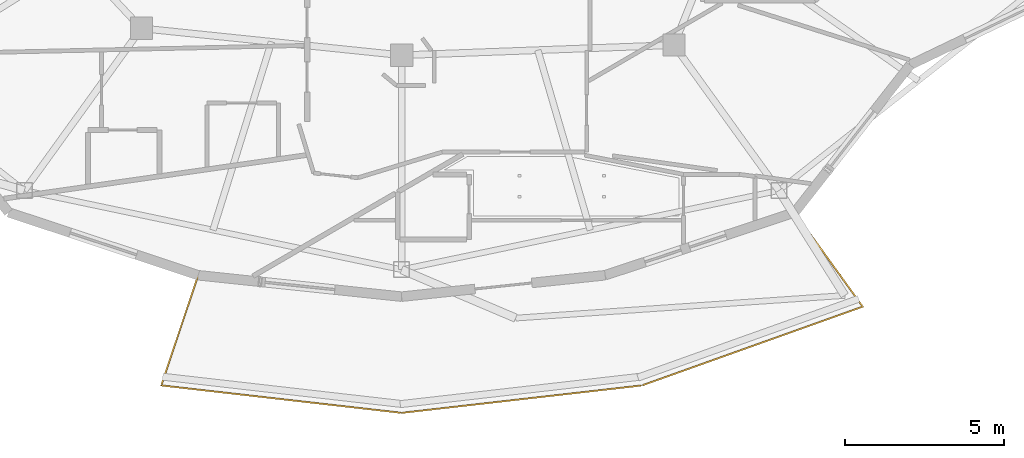
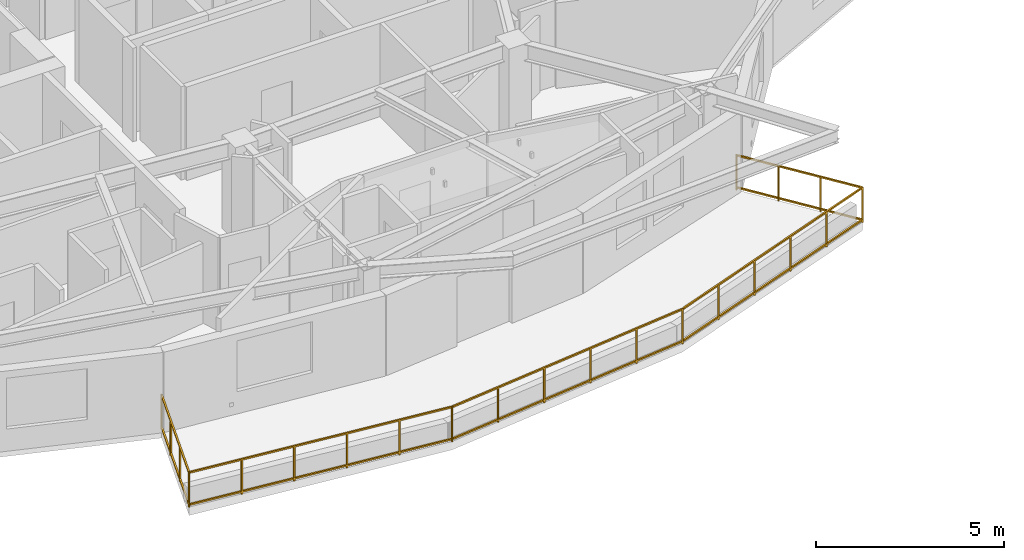
# One storey, part 14 of 18: 1 railing.
"""IFC4 building model written with IfcOpenShell, lengths in metres."""

from ifc_helpers import new_model, si_unit, direction, frame, origin, origin_2d, place, context, subcontext, project, spatial, rectangle, extrude, material, type_object, element, save


model = new_model("IFC4")

# Units and contexts
model_context = context("Model", 3, precision=1e-05, world=origin(), true_north=direction((0.0, 1.0)))
body_context = subcontext(model_context, "Body", "Model", "MODEL_VIEW")
ifc_project = project(units=[si_unit("LENGTHUNIT", "METRE"), si_unit("AREAUNIT", "SQUARE_METRE"), si_unit("VOLUMEUNIT", "CUBIC_METRE"), si_unit("PLANEANGLEUNIT", "RADIAN"), si_unit("MASSUNIT", "GRAM", prefix="KILO")], contexts=[model_context])

# Site, building, storey
site_placement = place(None, origin())
site = spatial("IfcSite", under=ifc_project, at=site_placement, CompositionType="ELEMENT")
building_placement = place(site_placement, origin())
building = spatial("IfcBuilding", under=site, at=building_placement, Name="Kolvaren Gate Tower and Convention Centre", CompositionType="ELEMENT")
storey_placement = place(building_placement, frame((0.0, 0.0, 229.39990234375)))
storey = spatial("IfcBuildingStorey", under=building, at=storey_placement, Name="L61", CompositionType="ELEMENT", Elevation=229.39990234375)

# Railing
ifc_material = material(Name="Brushed Stainless Steel Grade 316L", Category="steel")
railing_type = type_object("IfcRailingType", Name="ARCH-RL-GUARD-1150", PredefinedType="GUARDRAIL", material=ifc_material)
railing_placement = place(storey_placement, frame((23.71923828125, 7.874755859375, 0.0)))
element("IfcRailing", 1, at=railing_placement, inside=storey, type_object=railing_type, Name="Tower L61 Terrace Perimeter Guardrail GR-3", PredefinedType="GUARDRAIL", context=body_context, shape_type="SweptSolid", body=[
    extrude(rectangle(XDim=0.048095703125, YDim=0.048095703125, at=origin_2d()), frame((-0.0087890625, -0.026611328125, 1.1259765625), z_axis=(-0.317588247294, -0.948228719867, 0.0), x_axis=(0.948228719867, -0.317588247294, 0.0)), (0.0, 0.0, 1.0), 3.603759765625),
    extrude(rectangle(XDim=0.048095703125, YDim=0.048095703125, at=origin_2d()), frame((-0.0087890625, -0.026611328125, 0.083984375), z_axis=(-0.317588247294, -0.948228719867, 0.0), x_axis=(0.948228719867, -0.317588247294, 0.0)), (0.0, 0.0, 1.0), 3.603759765625),
    extrude(rectangle(XDim=0.048095703125, YDim=0.048095703125, at=origin_2d()), frame((-1.134521484375, -3.4736328125, 1.1259765625), z_axis=(0.993542586276, -0.113459813395, 0.0), x_axis=(0.113459813395, 0.993542586276, 0.0)), (0.0, 0.0, 1.0), 7.561279296875),
    extrude(rectangle(XDim=0.048095703125, YDim=0.048095703125, at=origin_2d()), frame((-1.134521484375, -3.4736328125, 0.083984375), z_axis=(0.993542586276, -0.113459813395, 0.0), x_axis=(0.113459813395, 0.993542586276, 0.0)), (0.0, 0.0, 1.0), 7.561279296875),
    extrude(rectangle(XDim=0.048095703125, YDim=0.048095703125, at=origin_2d()), frame((6.43359375, -4.33154296875, 1.1259765625), z_axis=(0.993542586276, 0.113459813395, 0.0), x_axis=(-0.113459813395, 0.993542586276, 0.0)), (0.0, 0.0, 1.0), 7.561279296875),
    extrude(rectangle(XDim=0.048095703125, YDim=0.048095703125, at=origin_2d()), frame((6.43359375, -4.33154296875, 0.083984375), z_axis=(0.993542586276, 0.113459813395, 0.0), x_axis=(-0.113459813395, 0.993542586276, 0.0)), (0.0, 0.0, 1.0), 7.561279296875),
    extrude(rectangle(XDim=0.048095703125, YDim=0.048095703125, at=origin_2d()), frame((14.000244140625, -3.4609375, 1.1259765625), z_axis=(0.941783827204, 0.336219010197, 0.0), x_axis=(-0.336219010197, 0.941783827204, 0.0)), (0.0, 0.0, 1.0), 7.322265625),
    extrude(rectangle(XDim=0.048095703125, YDim=0.048095703125, at=origin_2d()), frame((14.000244140625, -3.4609375, 0.083984375), z_axis=(0.941783827204, 0.336219010197, 0.0), x_axis=(-0.336219010197, 0.941783827204, 0.0)), (0.0, 0.0, 1.0), 7.322265625),
    extrude(rectangle(XDim=0.048095703125, YDim=0.048095703125, at=origin_2d()), frame((20.90625, -0.967041015625, 1.1259765625), z_axis=(-0.585212870465, 0.810879705161, 0.0), x_axis=(-0.810879705161, -0.585212870465, 0.0)), (0.0, 0.0, 1.0), 3.603759765625),
    extrude(rectangle(XDim=0.048095703125, YDim=0.048095703125, at=origin_2d()), frame((20.90625, -0.967041015625, 0.083984375), z_axis=(-0.585212870465, 0.810879705161, 0.0), x_axis=(-0.810879705161, -0.585212870465, 0.0)), (0.0, 0.0, 1.0), 3.603759765625),
    extrude(rectangle(XDim=0.0419921875, YDim=0.0419921875, at=origin_2d()), origin(), (0.0, 0.0, 1.0), 1.14990234375),
    extrude(rectangle(XDim=0.0419921875, YDim=0.0419921875, at=origin_2d()), frame((-1.162353515625, -3.470458984375, 0.0)), (0.0, 0.0, 1.0), 1.14990234375),
    extrude(rectangle(XDim=0.0419921875, YDim=0.0419921875, at=origin_2d()), frame((-0.387451171875, -1.15673828125, 0.0)), (0.0, 0.0, 1.0), 1.099853515625),
    extrude(rectangle(XDim=0.0419921875, YDim=0.0419921875, at=origin_2d()), frame((-0.77490234375, -2.313720703125, 0.0)), (0.0, 0.0, 1.0), 1.099853515625),
    extrude(rectangle(XDim=0.0419921875, YDim=0.0419921875, at=origin_2d()), frame((6.40576171875, -4.334716796875, 0.0)), (0.0, 0.0, 1.0), 1.14990234375),
    extrude(rectangle(XDim=0.0419921875, YDim=0.0419921875, at=origin_2d()), frame((0.351318359375, -3.643310546875, 0.0)), (0.0, 0.0, 1.0), 1.099853515625),
    extrude(rectangle(XDim=0.0419921875, YDim=0.0419921875, at=origin_2d()), frame((1.864990234375, -3.816162109375, 0.0)), (0.0, 0.0, 1.0), 1.099853515625),
    extrude(rectangle(XDim=0.0419921875, YDim=0.0419921875, at=origin_2d()), frame((3.37841796875, -3.989013671875, 0.0)), (0.0, 0.0, 1.0), 1.099853515625),
    extrude(rectangle(XDim=0.0419921875, YDim=0.0419921875, at=origin_2d()), frame((4.89208984375, -4.161865234375, 0.0)), (0.0, 0.0, 1.0), 1.099853515625),
    extrude(rectangle(XDim=0.0419921875, YDim=0.0419921875, at=origin_2d()), frame((13.973876953125, -3.470458984375, 0.0)), (0.0, 0.0, 1.0), 1.14990234375),
    extrude(rectangle(XDim=0.0419921875, YDim=0.0419921875, at=origin_2d()), frame((7.91943359375, -4.161865234375, 0.0)), (0.0, 0.0, 1.0), 1.099853515625),
    extrude(rectangle(XDim=0.0419921875, YDim=0.0419921875, at=origin_2d()), frame((9.43310546875, -3.989013671875, 0.0)), (0.0, 0.0, 1.0), 1.099853515625),
    extrude(rectangle(XDim=0.0419921875, YDim=0.0419921875, at=origin_2d()), frame((10.946533203125, -3.816162109375, 0.0)), (0.0, 0.0, 1.0), 1.099853515625),
    extrude(rectangle(XDim=0.0419921875, YDim=0.0419921875, at=origin_2d()), frame((12.460205078125, -3.643310546875, 0.0)), (0.0, 0.0, 1.0), 1.099853515625),
    extrude(rectangle(XDim=0.0419921875, YDim=0.0419921875, at=origin_2d()), frame((20.922607421875, -0.98974609375, 0.0)), (0.0, 0.0, 1.0), 1.14990234375),
    extrude(rectangle(XDim=0.0419921875, YDim=0.0419921875, at=origin_2d()), frame((15.363525390625, -2.974365234375, 0.0)), (0.0, 0.0, 1.0), 1.099853515625),
    extrude(rectangle(XDim=0.0419921875, YDim=0.0419921875, at=origin_2d()), frame((16.75341796875, -2.478271484375, 0.0)), (0.0, 0.0, 1.0), 1.099853515625),
    extrude(rectangle(XDim=0.0419921875, YDim=0.0419921875, at=origin_2d()), frame((18.14306640625, -1.98193359375, 0.0)), (0.0, 0.0, 1.0), 1.099853515625),
    extrude(rectangle(XDim=0.0419921875, YDim=0.0419921875, at=origin_2d()), frame((19.532958984375, -1.48583984375, 0.0)), (0.0, 0.0, 1.0), 1.099853515625),
    extrude(rectangle(XDim=0.0419921875, YDim=0.0419921875, at=origin_2d()), frame((18.78076171875, 1.97802734375, 0.0)), (0.0, 0.0, 1.0), 1.14990234375),
    extrude(rectangle(XDim=0.0419921875, YDim=0.0419921875, at=origin_2d()), frame((20.208740234375, -0.00048828125, 0.0)), (0.0, 0.0, 1.0), 1.099853515625),
    extrude(rectangle(XDim=0.0419921875, YDim=0.0419921875, at=origin_2d()), frame((19.49462890625, 0.98876953125, 0.0)), (0.0, 0.0, 1.0), 1.099853515625),
])

save(model, "model.ifc")
